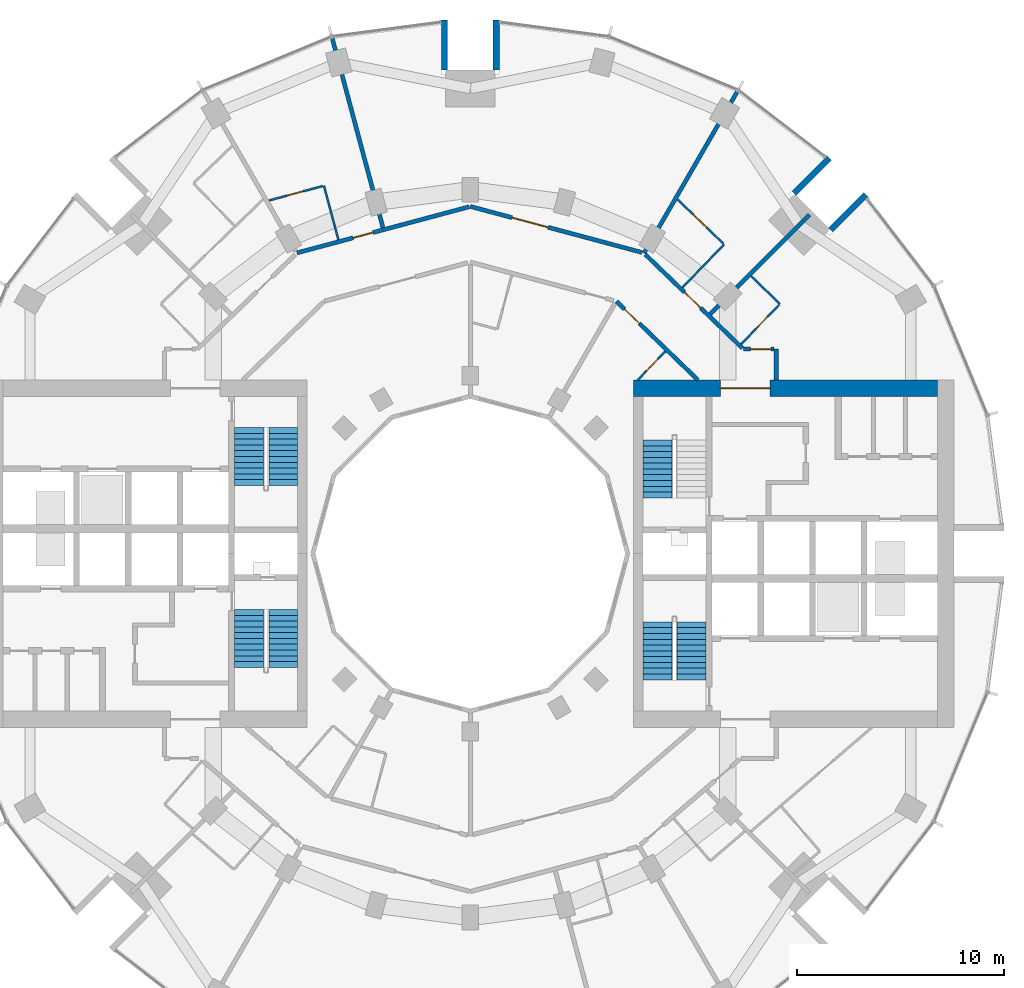
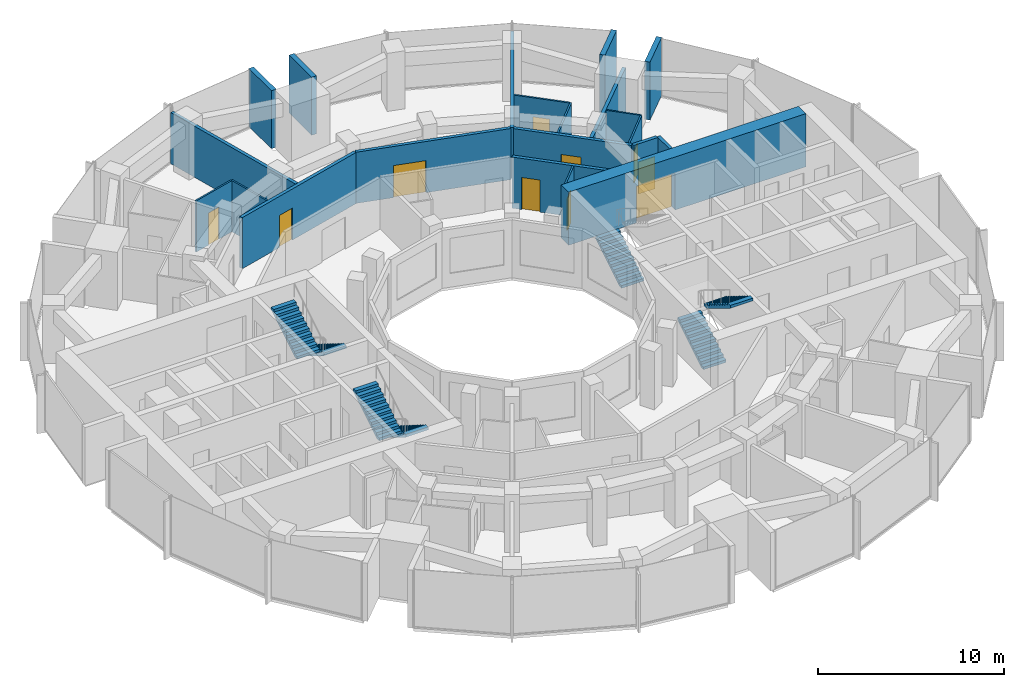
# One storey, part 12 of 15: 21 walls, 10 doors, 7 stair flights, 10 openings, 4 elements without a shape of their own.
"""IFC4 building model written with IfcOpenShell, lengths in metres."""

from ifc_helpers import new_model, si_unit, direction, frame, frame_2d, origin, place, context, subcontext, project, spatial, polyline, rectangle, outline, extrude, material, layer, layer_set, type_object, element, fill, aggregate, save


model = new_model("IFC4")

# Units and contexts
model_context = context("Model", 3, precision=1e-05, world=origin(), true_north=direction((0.0, 1.0)))
body_context = subcontext(model_context, "Body", "Model", "MODEL_VIEW")
ifc_project = project(units=[si_unit("LENGTHUNIT", "METRE"), si_unit("AREAUNIT", "SQUARE_METRE"), si_unit("VOLUMEUNIT", "CUBIC_METRE"), si_unit("PLANEANGLEUNIT", "RADIAN"), si_unit("MASSUNIT", "GRAM", prefix="KILO")], contexts=[model_context])

# Site, building, storey
site_placement = place(None, origin())
site = spatial("IfcSite", under=ifc_project, at=site_placement, CompositionType="ELEMENT")
building_placement = place(site_placement, origin())
building = spatial("IfcBuilding", under=site, at=building_placement, Name="Torre Brocal", CompositionType="ELEMENT")
storey_placement = place(building_placement, frame((0.0, 0.0, 101.39990234375)))
storey = spatial("IfcBuildingStorey", under=building, at=storey_placement, Name="L23", CompositionType="ELEMENT", Elevation=101.39990234375)

# Wall, opening, door
ifc_material_1 = material(Name="Concrete C80", Category="concrete")
ifc_layer_1 = layer(ifc_material_1, 0.800048828125)
ifc_layer_set_1 = layer_set([ifc_layer_1], Name="Concrete C80")
wall_type_1 = type_object("IfcWallType", Name="CORE WALL 800 C80", PredefinedType="SHEAR", material=ifc_layer_set_1)
wall_1_placement = place(storey_placement, frame((87.89990234375, 83.0, 0.0), z_axis=(0.0, 0.0, 1.0), x_axis=(1.0, 0.0, 0.0)))
wall_1 = element("IfcWall", 1, at=wall_1_placement, inside=storey, type_object=wall_type_1, Name="Wall CW800-80", PredefinedType="SHEAR", context=body_context, shape_type="SweptSolid", body=[
    extrude(rectangle(XDim=14.7001953125, YDim=0.800048828125, at=frame_2d((7.35009765625, 0.0))), origin(), (0.0, 0.0, 1.0), 3.47998046875),
])
opening_1_placement = place(wall_1_placement, frame((4.199951171875, 0.0, 0.0)))
opening_1 = element("IfcOpeningElement", 2, at=opening_1_placement, cuts=wall_1, Name="Opening E-D27", PredefinedType="OPENING", context=body_context, shape_type="SweptSolid", body=[
    extrude(rectangle(XDim=2.39990234375, YDim=2.39990234375, at=frame_2d((1.199951171875, 1.199951171875))), frame((0.0, 0.409912109375, 0.0), z_axis=(0.0, -1.0, 0.0), x_axis=(1.0, 0.0, 0.0)), (0.0, 0.0, 1.0), 0.820068359375),
])
ifc_material_2 = material(Name="Steel A653", Category="steel")
door_type_1 = type_object("IfcDoorType", Name="DOUBLE FIRE DOOR FD90 2400X2400", OperationType="DOUBLE_DOOR_SINGLE_SWING", PredefinedType="DOOR", material=ifc_material_2)
door_1_placement = place(opening_1_placement, frame((2.39990234375, 0.0, 0.0), z_axis=(0.0, 0.0, 1.0), x_axis=(-1.0, 0.0, 0.0)))
door_1 = element("IfcDoor", 3, at=door_1_placement, inside=storey, type_object=door_type_1, Name="Door E-D27", OperationType="DOUBLE_DOOR_SINGLE_SWING", OverallHeight=2.39990234375, OverallWidth=2.39990234375, PredefinedType="DOOR", context=body_context, shape_type="SweptSolid", body=[
    extrude(rectangle(XDim=2.39990234375, YDim=2.39990234375, at=frame_2d((1.199951171875, 1.199951171875))), frame((0.0, 0.02490234375, 0.0), z_axis=(0.0, -1.0, 0.0), x_axis=(1.0, 0.0, 0.0)), (0.0, 0.0, 1.0), 0.050048828125),
])
fill(opening_1, door_1)

# Walls
ifc_material_3 = material(Name="Concrete C80", Category="concrete")
ifc_layer_2 = layer(ifc_material_3, 0.300048828125)
ifc_layer_set_2 = layer_set([ifc_layer_2], Name="Concrete C80")
wall_type_2 = type_object("IfcWallType", Name="NOTCH RETURN WALL 300 C80", PredefinedType="NOTDEFINED", material=ifc_layer_set_2)
for number, where, z_axis, x_axis, name in (
    (4, (97.43017578125, 90.662353515625, 0.0), (0.0, 0.0, 1.0), (0.707106781187, 0.707106781187, 0.0), "NOTCH RETURN WALL"),
    (5, (95.662353515625, 92.43017578125, 0.0), (0.0, 0.0, 1.0), (0.707106781187, 0.707106781187, 0.0), "NOTCH RETURN WALL"),
    (6, (81.25, 98.39990234375, 0.0), (0.0, 0.0, 1.0), (0.0, 1.0, 0.0), "NOTCH RETURN WALL"),
    (7, (78.75, 98.39990234375, 0.0), (0.0, 0.0, 1.0), (0.0, 1.0, 0.0), "NOTCH RETURN WALL"),
):
    element("IfcWall", number, at=place(storey_placement, frame(where, z_axis=z_axis, x_axis=x_axis)), inside=storey, type_object=wall_type_2, Name=name, PredefinedType="NOTDEFINED", context=body_context, shape_type="SweptSolid", body=[
        extrude(rectangle(XDim=2.415771484375, YDim=0.300048828125, at=frame_2d((1.2080078125, 0.0))), origin(), (0.0, 0.0, 1.0), 3.800048828125),
    ])

# Wall, opening, door
ifc_material_4 = material(Name="Gypsum board", Category="Gypsum")
ifc_layer_3 = layer(ifc_material_4, 0.10009765625)
ifc_layer_set_3 = layer_set([ifc_layer_3], Name="Gypsum board")
wall_type_3 = type_object("IfcWallType", Name="PARTITION 100", PredefinedType="PARTITIONING", material=ifc_layer_set_3)
wall_2_placement = place(storey_placement, frame((70.267822265625, 92.087158203125, 0.0), z_axis=(0.0, 0.0, 1.0), x_axis=(0.965937937835, 0.258773839966, 0.0)))
wall_2 = element("IfcWall", 8, at=wall_2_placement, inside=storey, type_object=wall_type_3, Name="BATHROOM WALL", PredefinedType="PARTITIONING", context=body_context, shape_type="SweptSolid", body=[
    extrude(rectangle(XDim=2.693603515625, YDim=0.10009765625, at=frame_2d((1.3466796875, 0.0))), origin(), (0.0, 0.0, 1.0), 3.35009765625),
])
opening_2_placement = place(wall_2_placement, frame((0.911865234375, 0.0, 0.0)))
opening_2 = element("IfcOpeningElement", 9, at=opening_2_placement, cuts=wall_2, Name="Opening H06-D07", PredefinedType="OPENING", context=body_context, shape_type="SweptSolid", body=[
    extrude(rectangle(XDim=0.800048828125, YDim=2.10009765625, at=frame_2d((0.39990234375, 1.050048828125))), frame((0.0, 0.06005859375, 0.0), z_axis=(0.0, -1.0, 0.0), x_axis=(1.0, 0.0, 0.0)), (0.0, 0.0, 1.0), 0.1201171875),
])
ifc_material_5 = material(Name="Timber", Category="wood")
door_type_2 = type_object("IfcDoorType", Name="BATHROOM DOOR 800X2100", OperationType="SINGLE_SWING_LEFT", PredefinedType="DOOR", material=ifc_material_5)
door_2_placement = place(opening_2_placement, frame((0.800048828125, 0.0, 0.0), z_axis=(0.0, 0.0, 1.0), x_axis=(-1.0, 0.0, 0.0)))
door_2 = element("IfcDoor", 10, at=door_2_placement, inside=storey, type_object=door_type_2, Name="H06-D07", OperationType="SINGLE_SWING_RIGHT", OverallHeight=2.10009765625, OverallWidth=0.800048828125, PredefinedType="DOOR", context=body_context, shape_type="SweptSolid", body=[
    extrude(rectangle(XDim=0.800048828125, YDim=2.10009765625, at=frame_2d((0.39990234375, 1.050048828125))), frame((0.0, 0.02490234375, 0.0), z_axis=(0.0, -1.0, 0.0), x_axis=(1.0, 0.0, 0.0)), (0.0, 0.0, 1.0), 0.050048828125),
])
fill(opening_2, door_2)

# Wall
wall_3_placement = place(storey_placement, frame((72.91796875, 92.797119140625, 0.0), z_axis=(0.0, 0.0, 1.0), x_axis=(0.25867580527, -0.965964195904, 0.0)))
element("IfcWall", 11, at=wall_3_placement, inside=storey, type_object=wall_type_3, Name="BATHROOM WALL", PredefinedType="PARTITIONING", context=body_context, shape_type="SweptSolid", body=[
    extrude(rectangle(XDim=2.69921875, YDim=0.10009765625, at=frame_2d((1.349609375, 0.0))), origin(), (0.0, 0.0, 1.0), 3.35009765625),
])

# Wall, opening, door
wall_4_placement = place(storey_placement, frame((88.094970703125, 83.39990234375, 0.0), z_axis=(0.0, 0.0, 1.0), x_axis=(0.694447472534, 0.719543402368, 0.0)))
wall_4 = element("IfcWall", 12, at=wall_4_placement, inside=storey, type_object=wall_type_3, Name="BATHROOM WALL", PredefinedType="PARTITIONING", context=body_context, shape_type="SweptSolid", body=[
    extrude(rectangle(XDim=1.92626953125, YDim=0.10009765625, at=frame_2d((0.963134765625, 0.0))), origin(), (0.0, 0.0, 1.0), 3.35009765625),
])
opening_3_placement = place(wall_4_placement, frame((0.613037109375, 0.0, 0.0)))
opening_3 = element("IfcOpeningElement", 13, at=opening_3_placement, cuts=wall_4, Name="Opening H06-D14", PredefinedType="OPENING", context=body_context, shape_type="SweptSolid", body=[
    extrude(rectangle(XDim=0.800048828125, YDim=2.10009765625, at=frame_2d((0.39990234375, 1.050048828125))), frame((0.0, 0.06005859375, 0.0), z_axis=(0.0, -1.0, 0.0), x_axis=(1.0, 0.0, 0.0)), (0.0, 0.0, 1.0), 0.1201171875),
])
door_3_placement = place(opening_3_placement, frame((0.800048828125, 0.0, 0.0), z_axis=(0.0, 0.0, 1.0), x_axis=(-1.0, 0.0, 0.0)))
door_3 = element("IfcDoor", 14, at=door_3_placement, inside=storey, type_object=door_type_2, Name="H06-D14", OperationType="SINGLE_SWING_LEFT", OverallHeight=2.10009765625, OverallWidth=0.800048828125, PredefinedType="DOOR", context=body_context, shape_type="SweptSolid", body=[
    extrude(rectangle(XDim=0.800048828125, YDim=2.10009765625, at=frame_2d((0.39990234375, 1.050048828125))), frame((0.0, 0.02490234375, 0.0), z_axis=(0.0, -1.0, 0.0), x_axis=(1.0, 0.0, 0.0)), (0.0, 0.0, 1.0), 0.050048828125),
])
fill(opening_3, door_3)

wall_5_placement = place(storey_placement, frame((90.02734375, 92.1337890625, 0.0), z_axis=(0.0, 0.0, 1.0), x_axis=(0.719415132118, -0.694580353652, 0.0)))
wall_5 = element("IfcWall", 15, at=wall_5_placement, inside=storey, type_object=wall_type_3, Name="BATHROOM WALL", PredefinedType="PARTITIONING", context=body_context, shape_type="SweptSolid", body=[
    extrude(rectangle(XDim=3.076904296875, YDim=0.10009765625, at=frame_2d((1.53857421875, 0.0))), origin(), (0.0, 0.0, 1.0), 3.35009765625),
])
opening_4_placement = place(wall_5_placement, frame((1.053466796875, 0.0, 0.0)))
opening_4 = element("IfcOpeningElement", 16, at=opening_4_placement, cuts=wall_5, Name="Opening H06-D04", PredefinedType="OPENING", context=body_context, shape_type="SweptSolid", body=[
    extrude(rectangle(XDim=0.89990234375, YDim=2.10009765625, at=frame_2d((0.449951171875, 1.050048828125))), frame((0.0, 0.06005859375, 0.0), z_axis=(0.0, -1.0, 0.0), x_axis=(1.0, 0.0, 0.0)), (0.0, 0.0, 1.0), 0.1201171875),
])
ifc_material_6 = material(Name="Timber", Category="wood")
door_type_3 = type_object("IfcDoorType", Name="ACCESSIBLE BATHROOM DOOR 900X2100", OperationType="SINGLE_SWING_LEFT", PredefinedType="DOOR", material=ifc_material_6)
door_4_placement = place(opening_4_placement, frame((0.89990234375, 0.0, 0.0), z_axis=(0.0, 0.0, 1.0), x_axis=(-1.0, 0.0, 0.0)))
door_4 = element("IfcDoor", 17, at=door_4_placement, inside=storey, type_object=door_type_3, Name="H06-D04", OperationType="SINGLE_SWING_RIGHT", OverallHeight=2.10009765625, OverallWidth=0.89990234375, PredefinedType="DOOR", context=body_context, shape_type="SweptSolid", body=[
    extrude(rectangle(XDim=0.89990234375, YDim=2.10009765625, at=frame_2d((0.449951171875, 1.050048828125))), frame((0.0, 0.02490234375, 0.0), z_axis=(0.0, -1.0, 0.0), x_axis=(1.0, 0.0, 0.0)), (0.0, 0.0, 1.0), 0.050048828125),
])
fill(opening_4, door_4)

# Wall
wall_6_placement = place(storey_placement, frame((90.263427734375, 87.8759765625, 0.0), z_axis=(0.0, 0.0, 1.0), x_axis=(0.694534400859, 0.719459495749, 0.0)))
element("IfcWall", 18, at=wall_6_placement, inside=storey, type_object=wall_type_3, Name="BATHROOM WALL", PredefinedType="PARTITIONING", context=body_context, shape_type="SweptSolid", body=[
    extrude(rectangle(XDim=2.8994140625, YDim=0.10009765625, at=frame_2d((1.44970703125, 0.0))), origin(), (0.0, 0.0, 1.0), 3.35009765625),
])

# Wall, opening, door
wall_7_placement = place(storey_placement, frame((93.103515625, 85.135986328125, 0.0), z_axis=(0.0, 0.0, 1.0), x_axis=(0.694324808789, 0.719661767708, 0.0)))
wall_7 = element("IfcWall", 19, at=wall_7_placement, inside=storey, type_object=wall_type_3, Name="BATHROOM WALL", PredefinedType="PARTITIONING", context=body_context, shape_type="SweptSolid", body=[
    extrude(rectangle(XDim=2.64990234375, YDim=0.10009765625, at=frame_2d((1.324951171875, 0.0))), origin(), (0.0, 0.0, 1.0), 3.35009765625),
])
opening_5_placement = place(wall_7_placement, frame((1.0498046875, 0.0, 0.0)))
opening_5 = element("IfcOpeningElement", 20, at=opening_5_placement, cuts=wall_7, Name="Opening H06-D02", PredefinedType="OPENING", context=body_context, shape_type="SweptSolid", body=[
    extrude(rectangle(XDim=0.800048828125, YDim=2.10009765625, at=frame_2d((0.39990234375, 1.050048828125))), frame((0.0, 0.06005859375, 0.0), z_axis=(0.0, -1.0, 0.0), x_axis=(1.0, 0.0, 0.0)), (0.0, 0.0, 1.0), 0.1201171875),
])
door_5_placement = place(opening_5_placement, origin())
door_5 = element("IfcDoor", 21, at=door_5_placement, inside=storey, type_object=door_type_2, Name="H06-D02", OperationType="SINGLE_SWING_RIGHT", OverallHeight=2.10009765625, OverallWidth=0.800048828125, PredefinedType="DOOR", context=body_context, shape_type="SweptSolid", body=[
    extrude(rectangle(XDim=0.800048828125, YDim=2.10009765625, at=frame_2d((0.39990234375, 1.050048828125))), frame((0.0, 0.02490234375, 0.0), z_axis=(0.0, -1.0, 0.0), x_axis=(1.0, 0.0, 0.0)), (0.0, 0.0, 1.0), 0.050048828125),
])
fill(opening_5, door_5)

# Wall
wall_8_placement = place(storey_placement, frame((93.582275390625, 88.425537109375, 0.0), z_axis=(0.0, 0.0, 1.0), x_axis=(0.719707242969, -0.694277670977, 0.0)))
element("IfcWall", 22, at=wall_8_placement, inside=storey, type_object=wall_type_3, Name="BATHROOM WALL", PredefinedType="PARTITIONING", context=body_context, shape_type="SweptSolid", body=[
    extrude(rectangle(XDim=1.939453125, YDim=0.10009765625, at=frame_2d((0.9697265625, 0.0))), origin(), (0.0, 0.0, 1.0), 3.35009765625),
])

# Wall, opening, door
ifc_material_7 = material(Name="Gypsum board", Category="Gypsum")
ifc_layer_4 = layer(ifc_material_7, 0.199951171875)
ifc_layer_set_4 = layer_set([ifc_layer_4], Name="Gypsum board")
wall_type_4 = type_object("IfcWallType", Name="PARTITION 200 EI60", PredefinedType="PARTITIONING", material=ifc_layer_set_4)
wall_9_placement = place(storey_placement, frame((71.614013671875, 89.549560546875, 0.0), z_axis=(0.0, 0.0, 1.0), x_axis=(0.965982378603, 0.258607896685, 0.0)))
wall_9 = element("IfcWall", 23, at=wall_9_placement, inside=storey, type_object=wall_type_4, Name="GUESTROOM CORRIDOR WALL", PredefinedType="PARTITIONING", context=body_context, shape_type="SweptSolid", body=[
    extrude(rectangle(XDim=8.631591796875, YDim=0.199951171875, at=frame_2d((4.31591796875, 0.0))), origin(), (0.0, 0.0, 1.0), 3.35009765625),
])
opening_6_placement = place(wall_9_placement, frame((2.804443359375, 0.0, 0.0)))
opening_6 = element("IfcOpeningElement", 24, at=opening_6_placement, cuts=wall_9, Name="Opening H06-D06", PredefinedType="OPENING", context=body_context, shape_type="SweptSolid", body=[
    extrude(rectangle(XDim=1.0, YDim=2.10009765625, at=frame_2d((0.5, 1.050048828125))), frame((0.0, 0.10986328125, 0.0), z_axis=(0.0, -1.0, 0.0), x_axis=(1.0, 0.0, 0.0)), (0.0, 0.0, 1.0), 0.219970703125),
])
ifc_material_8 = material(Name="Timber", Category="wood")
door_type_4 = type_object("IfcDoorType", Name="FLAT ENTRY DOOR FD30S 1000X2100", OperationType="SINGLE_SWING_RIGHT", PredefinedType="DOOR", material=ifc_material_8)
door_6_placement = place(opening_6_placement, origin())
door_6 = element("IfcDoor", 25, at=door_6_placement, inside=storey, type_object=door_type_4, Name="H06-D06", OperationType="SINGLE_SWING_RIGHT", OverallHeight=2.10009765625, OverallWidth=1.0, PredefinedType="DOOR", context=body_context, shape_type="SweptSolid", body=[
    extrude(rectangle(XDim=1.0, YDim=2.10009765625, at=frame_2d((0.5, 1.050048828125))), frame((0.0, 0.02490234375, 0.0), z_axis=(0.0, -1.0, 0.0), x_axis=(1.0, 0.0, 0.0)), (0.0, 0.0, 1.0), 0.050048828125),
])
fill(opening_6, door_6)

# Wall
wall_10_placement = place(storey_placement, frame((73.3232421875, 99.91845703125, 0.0), z_axis=(0.0, 0.0, 1.0), x_axis=(0.258812513968, -0.965927576278, 0.0)))
element("IfcWall", 26, at=wall_10_placement, inside=storey, type_object=wall_type_4, Name="PARTY PARTITION", PredefinedType="PARTITIONING", context=body_context, shape_type="SweptSolid", body=[
    extrude(rectangle(XDim=9.4736328125, YDim=0.199951171875, at=frame_2d((4.73681640625, 0.0))), origin(), (0.0, 0.0, 1.0), 3.35009765625),
])

# Wall, opening, door
wall_11_placement = place(storey_placement, frame((80.0, 91.796142578125, 0.0), z_axis=(0.0, 0.0, 1.0), x_axis=(0.965917643923, -0.258849580177, 0.0)))
wall_11 = element("IfcWall", 27, at=wall_11_placement, inside=storey, type_object=wall_type_4, Name="CORRIDOR WALL", PredefinedType="PARTITIONING", context=body_context, shape_type="SweptSolid", body=[
    extrude(rectangle(XDim=8.601806640625, YDim=0.199951171875, at=frame_2d((4.30078125, 0.0))), origin(), (0.0, 0.0, 1.0), 3.35009765625),
])
opening_7_placement = place(wall_11_placement, frame((2.0908203125, 0.0, 0.0)))
opening_7 = element("IfcOpeningElement", 28, at=opening_7_placement, cuts=wall_11, Name="Opening H06-D05", PredefinedType="OPENING", context=body_context, shape_type="SweptSolid", body=[
    extrude(rectangle(XDim=1.800048828125, YDim=2.10009765625, at=frame_2d((0.89990234375, 1.050048828125))), frame((0.0, 0.10986328125, 0.0), z_axis=(0.0, -1.0, 0.0), x_axis=(1.0, 0.0, 0.0)), (0.0, 0.0, 1.0), 0.219970703125),
])
ifc_material_9 = material(Name="Timber", Category="wood")
door_type_5 = type_object("IfcDoorType", Name="DOUBLE DOOR 1800X2100", OperationType="DOUBLE_DOOR_SINGLE_SWING", PredefinedType="DOOR", material=ifc_material_9)
door_7_placement = place(opening_7_placement, origin())
door_7 = element("IfcDoor", 29, at=door_7_placement, inside=storey, type_object=door_type_5, Name="H06-D05", OperationType="DOUBLE_DOOR_SINGLE_SWING", OverallHeight=2.10009765625, OverallWidth=1.800048828125, PredefinedType="DOOR", context=body_context, shape_type="SweptSolid", body=[
    extrude(rectangle(XDim=1.800048828125, YDim=2.10009765625, at=frame_2d((0.89990234375, 1.050048828125))), frame((0.0, 0.02490234375, 0.0), z_axis=(0.0, -1.0, 0.0), x_axis=(1.0, 0.0, 0.0)), (0.0, 0.0, 1.0), 0.050048828125),
])
fill(opening_7, door_7)

wall_12_placement = place(storey_placement, frame((87.06396484375, 87.2109375, 0.0), z_axis=(0.0, 0.0, 1.0), x_axis=(0.719540958932, -0.694450004262, 0.0)))
wall_12 = element("IfcWall", 30, at=wall_12_placement, inside=storey, type_object=wall_type_4, Name="GUESTROOM CORRIDOR WALL", PredefinedType="PARTITIONING", context=body_context, shape_type="SweptSolid", body=[
    extrude(rectangle(XDim=5.48779296875, YDim=0.199951171875, at=frame_2d((2.743896484375, 0.0))), origin(), (0.0, 0.0, 1.0), 3.35009765625),
])
opening_8_placement = place(wall_12_placement, frame((0.550048828125, 0.0, 0.0)))
opening_8 = element("IfcOpeningElement", 31, at=opening_8_placement, cuts=wall_12, Name="Opening H06-D13", PredefinedType="OPENING", context=body_context, shape_type="SweptSolid", body=[
    extrude(rectangle(XDim=1.0, YDim=2.10009765625, at=frame_2d((0.5, 1.050048828125))), frame((0.0, 0.10986328125, 0.0), z_axis=(0.0, -1.0, 0.0), x_axis=(1.0, 0.0, 0.0)), (0.0, 0.0, 1.0), 0.219970703125),
])
door_8_placement = place(opening_8_placement, frame((1.0, 0.0, 0.0), z_axis=(0.0, 0.0, 1.0), x_axis=(-1.0, 0.0, 0.0)))
door_8 = element("IfcDoor", 32, at=door_8_placement, inside=storey, type_object=door_type_4, Name="H06-D13", OperationType="SINGLE_SWING_RIGHT", OverallHeight=2.10009765625, OverallWidth=1.0, PredefinedType="DOOR", context=body_context, shape_type="SweptSolid", body=[
    extrude(rectangle(XDim=1.0, YDim=2.10009765625, at=frame_2d((0.5, 1.050048828125))), frame((0.0, 0.02490234375, 0.0), z_axis=(0.0, -1.0, 0.0), x_axis=(1.0, 0.0, 0.0)), (0.0, 0.0, 1.0), 0.050048828125),
])
fill(opening_8, door_8)

wall_13_placement = place(storey_placement, frame((88.46533203125, 89.472900390625, 0.0), z_axis=(0.0, 0.0, 1.0), x_axis=(0.719474304909, -0.694519059908, 0.0)))
wall_13 = element("IfcWall", 33, at=wall_13_placement, inside=storey, type_object=wall_type_4, Name="GUESTROOM CORRIDOR WALL", PredefinedType="PARTITIONING", context=body_context, shape_type="SweptSolid", body=[
    extrude(rectangle(XDim=6.525390625, YDim=0.199951171875, at=frame_2d((3.2626953125, 0.0))), origin(), (0.0, 0.0, 1.0), 3.35009765625),
])
opening_9_placement = place(wall_13_placement, frame((2.6328125, 0.0, 0.0)))
opening_9 = element("IfcOpeningElement", 34, at=opening_9_placement, cuts=wall_13, Name="Opening H06-D03", PredefinedType="OPENING", context=body_context, shape_type="SweptSolid", body=[
    extrude(rectangle(XDim=1.10009765625, YDim=2.10009765625, at=frame_2d((0.550048828125, 1.050048828125))), frame((0.0, 0.10986328125, 0.0), z_axis=(0.0, -1.0, 0.0), x_axis=(1.0, 0.0, 0.0)), (0.0, 0.0, 1.0), 0.219970703125),
])
ifc_material_10 = material(Name="Timber", Category="wood")
door_type_6 = type_object("IfcDoorType", Name="ACCESSIBLE ENTRY DOOR FD30S 1100X2100", OperationType="SINGLE_SWING_RIGHT", PredefinedType="DOOR", material=ifc_material_10)
door_9_placement = place(opening_9_placement, origin())
door_9 = element("IfcDoor", 35, at=door_9_placement, inside=storey, type_object=door_type_6, Name="H06-D03", OperationType="SINGLE_SWING_LEFT", OverallHeight=2.10009765625, OverallWidth=1.10009765625, PredefinedType="DOOR", context=body_context, shape_type="SweptSolid", body=[
    extrude(rectangle(XDim=1.10009765625, YDim=2.10009765625, at=frame_2d((0.550048828125, 1.050048828125))), frame((0.0, 0.02490234375, 0.0), z_axis=(0.0, -1.0, 0.0), x_axis=(1.0, 0.0, 0.0)), (0.0, 0.0, 1.0), 0.050048828125),
])
fill(opening_9, door_9)

# Walls
wall_14_placement = place(storey_placement, frame((88.400146484375, 89.538330078125, 0.0), z_axis=(0.0, 0.0, 1.0), x_axis=(0.500234695877, 0.865889859648, 0.0)))
element("IfcWall", 36, at=wall_14_placement, inside=storey, type_object=wall_type_4, Name="BATHROOM WALL", PredefinedType="PARTITIONING", context=body_context, shape_type="SweptSolid", body=[
    extrude(rectangle(XDim=9.007080078125, YDim=0.199951171875, at=frame_2d((4.50341796875, 0.0))), origin(), (0.0, 0.0, 1.0), 3.35009765625),
])
wall_15_placement = place(storey_placement, frame((91.595458984375, 86.59033203125, 0.0), z_axis=(0.0, 0.0, 1.0), x_axis=(0.707232337591, 0.706981202484, 0.0)))
element("IfcWall", 37, at=wall_15_placement, inside=storey, type_object=wall_type_4, Name="BATHROOM WALL", PredefinedType="PARTITIONING", context=body_context, shape_type="SweptSolid", body=[
    extrude(rectangle(XDim=6.804931640625, YDim=0.199951171875, at=frame_2d((3.40234375, 0.0))), origin(), (0.0, 0.0, 1.0), 3.35009765625),
])

# Wall, opening, door
wall_16_placement = place(storey_placement, frame((93.2041015625, 84.89990234375, 0.0), z_axis=(0.0, 0.0, 1.0), x_axis=(1.0, 0.0, 0.0)))
wall_16 = element("IfcWall", 38, at=wall_16_placement, inside=storey, type_object=wall_type_4, Name="GUESTROOM CORRIDOR WALL", PredefinedType="PARTITIONING", context=body_context, shape_type="SweptSolid", body=[
    extrude(rectangle(XDim=1.495849609375, YDim=0.199951171875, at=frame_2d((0.748046875, 0.0))), origin(), (0.0, 0.0, 1.0), 3.35009765625),
])
opening_10_placement = place(wall_16_placement, frame((0.345947265625, 0.0, 0.0)))
opening_10 = element("IfcOpeningElement", 39, at=opening_10_placement, cuts=wall_16, Name="Opening H06-D01", PredefinedType="OPENING", context=body_context, shape_type="SweptSolid", body=[
    extrude(rectangle(XDim=1.0, YDim=2.10009765625, at=frame_2d((0.5, 1.050048828125))), frame((0.0, 0.10986328125, 0.0), z_axis=(0.0, -1.0, 0.0), x_axis=(1.0, 0.0, 0.0)), (0.0, 0.0, 1.0), 0.219970703125),
])
door_10_placement = place(opening_10_placement, origin())
door_10 = element("IfcDoor", 40, at=door_10_placement, inside=storey, type_object=door_type_4, Name="H06-D01", OperationType="SINGLE_SWING_RIGHT", OverallHeight=2.10009765625, OverallWidth=1.0, PredefinedType="DOOR", context=body_context, shape_type="SweptSolid", body=[
    extrude(rectangle(XDim=1.0, YDim=2.10009765625, at=frame_2d((0.5, 1.050048828125))), frame((0.0, 0.02490234375, 0.0), z_axis=(0.0, -1.0, 0.0), x_axis=(1.0, 0.0, 0.0)), (0.0, 0.0, 1.0), 0.050048828125),
])
fill(opening_10, door_10)

# Wall
wall_17_placement = place(storey_placement, frame((94.800048828125, 83.40087890625, 0.0), z_axis=(0.0, 0.0, 1.0), x_axis=(0.0, 1.0, 0.0)))
element("IfcWall", 41, at=wall_17_placement, inside=storey, type_object=wall_type_4, Name="GUESTROOM CORRIDOR WALL", PredefinedType="PARTITIONING", context=body_context, shape_type="SweptSolid", body=[
    extrude(rectangle(XDim=1.4990234375, YDim=0.199951171875, at=frame_2d((0.74951171875, 0.0))), origin(), (0.0, 0.0, 1.0), 3.35009765625),
])

# Stair, stair flight
ifc_material_11 = material(Name="Concrete C50", Category="concrete")
stair_type = type_object("IfcStairType", Name="EXIT STAIR", PredefinedType="HALF_TURN_STAIR", material=ifc_material_11)
stair_1_placement = place(storey_placement, origin())
stair_1 = element("IfcStair", 42, at=stair_1_placement, inside=storey, type_object=stair_type, Name="EXIT STAIR ST1", PredefinedType="HALF_TURN_STAIR")
ifc_material_12 = material(Name="Concrete C50", Category="concrete")
ifc_layer_5 = layer(ifc_material_12, 0.14990234375)
ifc_layer_set_5 = layer_set([ifc_layer_5], Name="Concrete C50")
stair_flight_type = type_object("IfcStairFlightType", Name="STAIR FLIGHT", PredefinedType="STRAIGHT", material=ifc_layer_set_5)
stair_flight_1_placement = place(storey_placement, frame((89.050048828125, 77.699951171875, 0.0), z_axis=(0.0, 0.0, 1.0), x_axis=(0.0, 1.0, 0.0)))
stair_flight_1 = element("IfcStairFlight", 43, at=stair_flight_1_placement, type_object=stair_flight_type, Name="ST1 flight 1", NumberOfRisers=11, NumberOfTreads=10, PredefinedType="STRAIGHT", RiserHeight=0.172727273, TreadLength=0.28, context=body_context, shape_type="SweptSolid", body=[
    extrude(outline(polyline([(0.0, 0.0), (0.0, 0.172607421875), (0.280029296875, 0.172607421875), (0.280029296875, 0.345458984375), (0.56005859375, 0.345458984375), (0.56005859375, 0.51806640625), (0.840087890625, 0.51806640625), (0.840087890625, 0.69091796875), (1.1201171875, 0.69091796875), (1.1201171875, 0.863525390625), (1.39990234375, 0.863525390625), (1.39990234375, 1.036376953125), (1.679931640625, 1.036376953125), (1.679931640625, 1.208984375), (1.9599609375, 1.208984375), (1.9599609375, 1.3818359375), (2.239990234375, 1.3818359375), (2.239990234375, 1.554443359375), (2.52001953125, 1.554443359375), (2.52001953125, 1.727294921875), (2.800048828125, 1.727294921875), (2.800048828125, 1.89990234375), (2.800048828125, 1.551025390625), (0.285400390625, 0.0), (0.0, 0.0)])), frame((0.0, 0.699951171875, 0.0), z_axis=(0.0, -1.0, 0.0), x_axis=(1.0, 0.0, 0.0)), (0.0, 0.0, 1.0), 1.39990234375),
])
aggregate(stair_1, [stair_flight_1])

# Stair, stair flights
stair_2_placement = place(storey_placement, origin())
stair_2 = element("IfcStair", 44, at=stair_2_placement, inside=storey, type_object=stair_type, Name="EXIT STAIR ST2", PredefinedType="HALF_TURN_STAIR")
stair_flight_2_placement = place(storey_placement, frame((89.050048828125, 68.89990234375, 0.0), z_axis=(0.0, 0.0, 1.0), x_axis=(0.0, 1.0, 0.0)))
stair_flight_2 = element("IfcStairFlight", 45, at=stair_flight_2_placement, type_object=stair_flight_type, Name="ST2 flight 1", NumberOfRisers=11, NumberOfTreads=10, PredefinedType="STRAIGHT", RiserHeight=0.172727273, TreadLength=0.28, context=body_context, shape_type="SweptSolid", body=[
    extrude(outline(polyline([(0.0, 0.0), (0.0, 0.172607421875), (0.280029296875, 0.172607421875), (0.280029296875, 0.345458984375), (0.56005859375, 0.345458984375), (0.56005859375, 0.51806640625), (0.840087890625, 0.51806640625), (0.840087890625, 0.69091796875), (1.1201171875, 0.69091796875), (1.1201171875, 0.863525390625), (1.39990234375, 0.863525390625), (1.39990234375, 1.036376953125), (1.679931640625, 1.036376953125), (1.679931640625, 1.208984375), (1.9599609375, 1.208984375), (1.9599609375, 1.3818359375), (2.239990234375, 1.3818359375), (2.239990234375, 1.554443359375), (2.52001953125, 1.554443359375), (2.52001953125, 1.727294921875), (2.800048828125, 1.727294921875), (2.800048828125, 1.89990234375), (2.800048828125, 1.551025390625), (0.285400390625, 0.0), (0.0, 0.0)])), frame((0.0, 0.699951171875, 0.0), z_axis=(0.0, -1.0, 0.0), x_axis=(1.0, 0.0, 0.0)), (0.0, 0.0, 1.0), 1.39990234375),
])
stair_flight_3_placement = place(storey_placement, frame((90.699951171875, 71.699951171875, 1.900146484375), z_axis=(0.0, 0.0, 1.0), x_axis=(0.0, -1.0, 0.0)))
stair_flight_3 = element("IfcStairFlight", 46, at=stair_flight_3_placement, type_object=stair_flight_type, Name="ST2 flight 2", NumberOfRisers=11, NumberOfTreads=10, PredefinedType="STRAIGHT", RiserHeight=0.172727273, TreadLength=0.28, context=body_context, shape_type="SweptSolid", body=[
    extrude(outline(polyline([(0.0, 0.0), (0.0, 0.172607421875), (0.280029296875, 0.172607421875), (0.280029296875, 0.345458984375), (0.56005859375, 0.345458984375), (0.56005859375, 0.51806640625), (0.840087890625, 0.51806640625), (0.840087890625, 0.69091796875), (1.1201171875, 0.69091796875), (1.1201171875, 0.863525390625), (1.39990234375, 0.863525390625), (1.39990234375, 1.036376953125), (1.679931640625, 1.036376953125), (1.679931640625, 1.208984375), (1.9599609375, 1.208984375), (1.9599609375, 1.3818359375), (2.239990234375, 1.3818359375), (2.239990234375, 1.554443359375), (2.52001953125, 1.554443359375), (2.52001953125, 1.727294921875), (2.800048828125, 1.727294921875), (2.800048828125, 1.89990234375), (2.800048828125, 1.551025390625), (0.285400390625, 0.0), (0.0, 0.0)])), frame((0.0, 0.699951171875, 0.0), z_axis=(0.0, -1.0, 0.0), x_axis=(1.0, 0.0, 0.0)), (0.0, 0.0, 1.0), 1.39990234375),
])
aggregate(stair_2, [stair_flight_2, stair_flight_3])

stair_3_placement = place(storey_placement, origin())
stair_3 = element("IfcStair", 47, at=stair_3_placement, inside=storey, type_object=stair_type, Name="EXIT STAIR ST3", PredefinedType="HALF_TURN_STAIR")
stair_flight_4_placement = place(storey_placement, frame((70.949951171875, 72.300048828125, 0.0), z_axis=(0.0, 0.0, 1.0), x_axis=(0.0, -1.0, 0.0)))
stair_flight_4 = element("IfcStairFlight", 48, at=stair_flight_4_placement, type_object=stair_flight_type, Name="ST3 flight 1", NumberOfRisers=11, NumberOfTreads=10, PredefinedType="STRAIGHT", RiserHeight=0.172727273, TreadLength=0.28, context=body_context, shape_type="SweptSolid", body=[
    extrude(outline(polyline([(0.0, 0.0), (0.0, 0.172607421875), (0.280029296875, 0.172607421875), (0.280029296875, 0.345458984375), (0.56005859375, 0.345458984375), (0.56005859375, 0.51806640625), (0.840087890625, 0.51806640625), (0.840087890625, 0.69091796875), (1.1201171875, 0.69091796875), (1.1201171875, 0.863525390625), (1.39990234375, 0.863525390625), (1.39990234375, 1.036376953125), (1.679931640625, 1.036376953125), (1.679931640625, 1.208984375), (1.9599609375, 1.208984375), (1.9599609375, 1.3818359375), (2.239990234375, 1.3818359375), (2.239990234375, 1.554443359375), (2.52001953125, 1.554443359375), (2.52001953125, 1.727294921875), (2.800048828125, 1.727294921875), (2.800048828125, 1.89990234375), (2.800048828125, 1.551025390625), (0.285400390625, 0.0), (0.0, 0.0)])), frame((0.0, 0.699951171875, 0.0), z_axis=(0.0, -1.0, 0.0), x_axis=(1.0, 0.0, 0.0)), (0.0, 0.0, 1.0), 1.39990234375),
])
stair_flight_5_placement = place(storey_placement, frame((69.300048828125, 69.5, 1.900146484375), z_axis=(0.0, 0.0, 1.0), x_axis=(0.0, 1.0, 0.0)))
stair_flight_5 = element("IfcStairFlight", 49, at=stair_flight_5_placement, type_object=stair_flight_type, Name="ST3 flight 2", NumberOfRisers=11, NumberOfTreads=10, PredefinedType="STRAIGHT", RiserHeight=0.172727273, TreadLength=0.28, context=body_context, shape_type="SweptSolid", body=[
    extrude(outline(polyline([(0.0, 0.0), (0.0, 0.172607421875), (0.280029296875, 0.172607421875), (0.280029296875, 0.345458984375), (0.56005859375, 0.345458984375), (0.56005859375, 0.51806640625), (0.840087890625, 0.51806640625), (0.840087890625, 0.69091796875), (1.1201171875, 0.69091796875), (1.1201171875, 0.863525390625), (1.39990234375, 0.863525390625), (1.39990234375, 1.036376953125), (1.679931640625, 1.036376953125), (1.679931640625, 1.208984375), (1.9599609375, 1.208984375), (1.9599609375, 1.3818359375), (2.239990234375, 1.3818359375), (2.239990234375, 1.554443359375), (2.52001953125, 1.554443359375), (2.52001953125, 1.727294921875), (2.800048828125, 1.727294921875), (2.800048828125, 1.89990234375), (2.800048828125, 1.551025390625), (0.285400390625, 0.0), (0.0, 0.0)])), frame((0.0, 0.699951171875, 0.0), z_axis=(0.0, -1.0, 0.0), x_axis=(1.0, 0.0, 0.0)), (0.0, 0.0, 1.0), 1.39990234375),
])
aggregate(stair_3, [stair_flight_4, stair_flight_5])

stair_4_placement = place(storey_placement, origin())
stair_4 = element("IfcStair", 50, at=stair_4_placement, inside=storey, type_object=stair_type, Name="EXIT STAIR ST4", PredefinedType="HALF_TURN_STAIR")
stair_flight_6_placement = place(storey_placement, frame((70.949951171875, 81.10009765625, 0.0), z_axis=(0.0, 0.0, 1.0), x_axis=(0.0, -1.0, 0.0)))
stair_flight_6 = element("IfcStairFlight", 51, at=stair_flight_6_placement, type_object=stair_flight_type, Name="ST4 flight 1", NumberOfRisers=11, NumberOfTreads=10, PredefinedType="STRAIGHT", RiserHeight=0.172727273, TreadLength=0.28, context=body_context, shape_type="SweptSolid", body=[
    extrude(outline(polyline([(0.0, 0.0), (0.0, 0.172607421875), (0.280029296875, 0.172607421875), (0.280029296875, 0.345458984375), (0.56005859375, 0.345458984375), (0.56005859375, 0.51806640625), (0.840087890625, 0.51806640625), (0.840087890625, 0.69091796875), (1.1201171875, 0.69091796875), (1.1201171875, 0.863525390625), (1.39990234375, 0.863525390625), (1.39990234375, 1.036376953125), (1.679931640625, 1.036376953125), (1.679931640625, 1.208984375), (1.9599609375, 1.208984375), (1.9599609375, 1.3818359375), (2.239990234375, 1.3818359375), (2.239990234375, 1.554443359375), (2.52001953125, 1.554443359375), (2.52001953125, 1.727294921875), (2.800048828125, 1.727294921875), (2.800048828125, 1.89990234375), (2.800048828125, 1.551025390625), (0.285400390625, 0.0), (0.0, 0.0)])), frame((0.0, 0.699951171875, 0.0), z_axis=(0.0, -1.0, 0.0), x_axis=(1.0, 0.0, 0.0)), (0.0, 0.0, 1.0), 1.39990234375),
])
stair_flight_7_placement = place(storey_placement, frame((69.300048828125, 78.300048828125, 1.900146484375), z_axis=(0.0, 0.0, 1.0), x_axis=(0.0, 1.0, 0.0)))
stair_flight_7 = element("IfcStairFlight", 52, at=stair_flight_7_placement, type_object=stair_flight_type, Name="ST4 flight 2", NumberOfRisers=11, NumberOfTreads=10, PredefinedType="STRAIGHT", RiserHeight=0.172727273, TreadLength=0.28, context=body_context, shape_type="SweptSolid", body=[
    extrude(outline(polyline([(0.0, 0.0), (0.0, 0.172607421875), (0.280029296875, 0.172607421875), (0.280029296875, 0.345458984375), (0.56005859375, 0.345458984375), (0.56005859375, 0.51806640625), (0.840087890625, 0.51806640625), (0.840087890625, 0.69091796875), (1.1201171875, 0.69091796875), (1.1201171875, 0.863525390625), (1.39990234375, 0.863525390625), (1.39990234375, 1.036376953125), (1.679931640625, 1.036376953125), (1.679931640625, 1.208984375), (1.9599609375, 1.208984375), (1.9599609375, 1.3818359375), (2.239990234375, 1.3818359375), (2.239990234375, 1.554443359375), (2.52001953125, 1.554443359375), (2.52001953125, 1.727294921875), (2.800048828125, 1.727294921875), (2.800048828125, 1.89990234375), (2.800048828125, 1.551025390625), (0.285400390625, 0.0), (0.0, 0.0)])), frame((0.0, 0.699951171875, 0.0), z_axis=(0.0, -1.0, 0.0), x_axis=(1.0, 0.0, 0.0)), (0.0, 0.0, 1.0), 1.39990234375),
])
aggregate(stair_4, [stair_flight_6, stair_flight_7])

save(model, "model.ifc")
